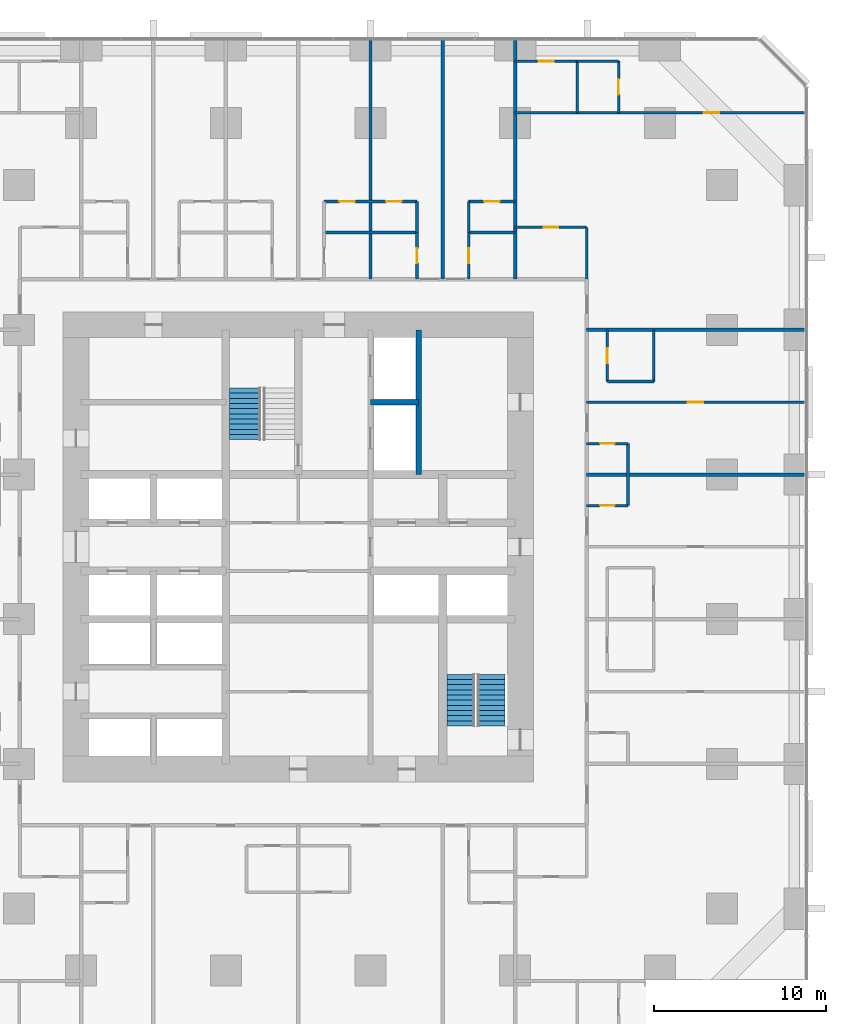
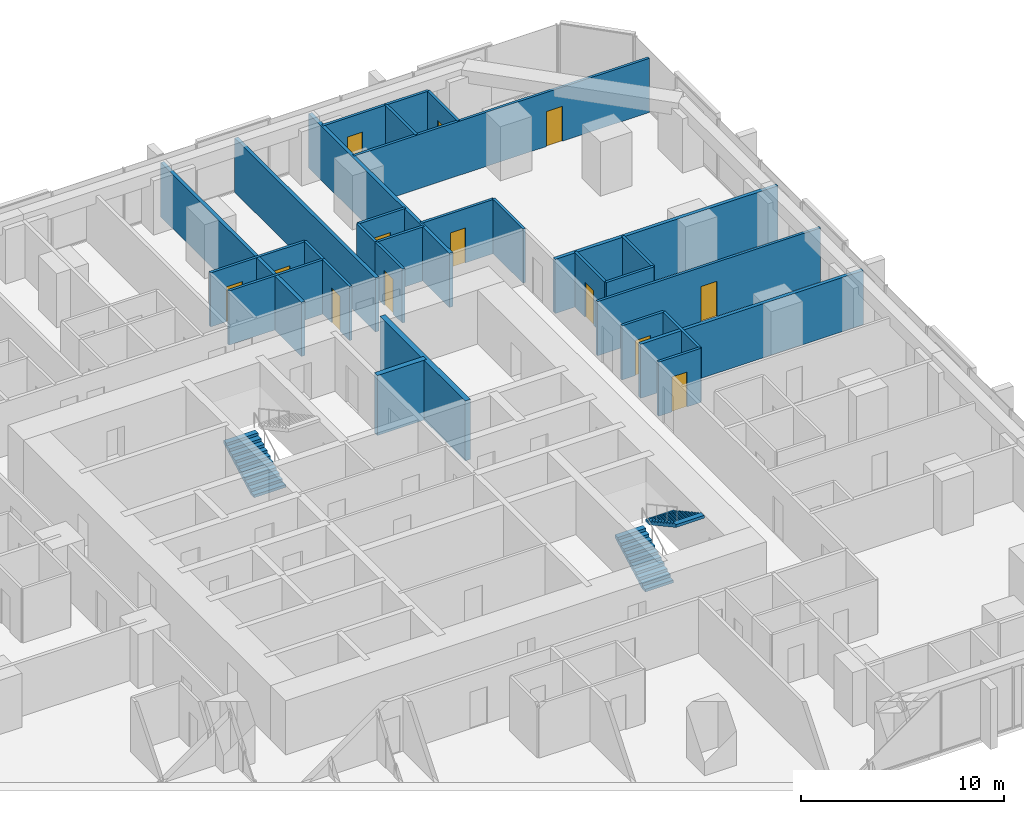
# One storey, part 15 of 17: 29 walls, 13 doors, 3 stair flights, 13 openings, 2 elements without a shape of their own.
"""IFC4 building model written with IfcOpenShell, lengths in metres."""

import ifcopenshell
import ifcopenshell.guid

model = None  # the IFC model being written
_history = None  # IfcOwnerHistory: only IFC2X3 demands one
_inside = {}  # id of a spatial element -> (the spatial element, [elements in it])
_under = {}  # id of a project, library or spatial element -> (it, [spatial elements below it])
_declared = {}  # id of a project -> (the project, [libraries it declares])
_typed = {}  # id of a type object -> (the type object, [elements of that type])
_made_of = {}  # id of a material, layer set ... -> (it, [elements and type objects made of it])


def new_model(schema):
    """Start an empty IFC model of exactly this schema.

    Asked for "IFC4X3", IfcOpenShell would pick the latest addendum, in which some entities
    have other attributes; the version numbers below select the first issue.
    IFC2X3 requires an IfcOwnerHistory on every rooted entity: one is made here for all.
    """
    global model, _history
    if schema == "IFC4X3":
        model = ifcopenshell.file(schema_version=(4, 3, 0, 0))
    else:
        model = ifcopenshell.file(schema=schema)
    _inside.clear()
    _under.clear()
    _declared.clear()
    _typed.clear()
    _made_of.clear()
    _history = None
    if model.schema == "IFC2X3":
        org = make("IfcOrganization", Name="unknown")
        user = make(
            "IfcPersonAndOrganization",
            ThePerson=make("IfcPerson", FamilyName="unknown"),
            TheOrganization=org,
        )
        app = make(
            "IfcApplication",
            ApplicationDeveloper=org,
            Version="unknown",
            ApplicationFullName="unknown",
            ApplicationIdentifier="unknown",
        )
        _history = make(
            "IfcOwnerHistory",
            OwningUser=user,
            OwningApplication=app,
            ChangeAction="ADDED",
            CreationDate=0,
        )
    return model


def make(cls, **values):
    """One entity of the class cls with the attributes given. An attribute that is None is left unset."""
    return model.create_entity(
        cls, **{name: value for name, value in values.items() if value is not None}
    )


def rooted(cls, **values):
    """An entity with a GlobalId (a new one), such as an element, a storey or a relation."""
    return make(cls, GlobalId=ifcopenshell.guid.new(), OwnerHistory=_history, **values)


def si_unit(unit_type, name, prefix=None):
    """IfcSIUnit, for example si_unit("LENGTHUNIT", "METRE", prefix="MILLI")."""
    return make("IfcSIUnit", UnitType=unit_type, Prefix=prefix, Name=name)


def assignment(units):
    """IfcUnitAssignment: the units of a project."""
    return None if units is None else make("IfcUnitAssignment", Units=units)


def point(xyz):
    """IfcCartesianPoint."""
    return None if xyz is None else make("IfcCartesianPoint", Coordinates=xyz)


def direction(xyz):
    """IfcDirection."""
    return None if xyz is None else make("IfcDirection", DirectionRatios=xyz)


def frame(location, z_axis=None, x_axis=None):
    """IfcAxis2Placement3D, a coordinate frame: its origin and axes. An axis left out is left unset."""
    return make(
        "IfcAxis2Placement3D",
        Location=point(location),
        Axis=direction(z_axis),
        RefDirection=direction(x_axis),
    )


def frame_2d(location, x_axis=None):
    """IfcAxis2Placement2D, a coordinate frame in the plane: its origin and x axis."""
    return make(
        "IfcAxis2Placement2D", Location=point(location), RefDirection=direction(x_axis)
    )


def origin():
    """The frame at (0, 0, 0) with its axes left unset."""
    return frame((0.0, 0.0, 0.0))


def place(relative_to, where):
    """IfcLocalPlacement: puts the frame where relative to a parent placement (None: the world)."""
    return make(
        "IfcLocalPlacement", PlacementRelTo=relative_to, RelativePlacement=where
    )


def context(
    kind, dimensions, precision=None, world=None, true_north=None, identifier=None
):
    """IfcGeometricRepresentationContext, for example the 3D "Model" context."""
    return make(
        "IfcGeometricRepresentationContext",
        ContextIdentifier=identifier,
        ContextType=kind,
        CoordinateSpaceDimension=dimensions,
        Precision=precision,
        WorldCoordinateSystem=world,
        TrueNorth=true_north,
    )


def subcontext(parent, identifier, kind, view, scale=None):
    """IfcGeometricRepresentationSubContext, for example "Body" below "Model"."""
    return make(
        "IfcGeometricRepresentationSubContext",
        ContextIdentifier=identifier,
        ContextType=kind,
        ParentContext=parent,
        TargetScale=scale,
        TargetView=view,
    )


def project(units=None, contexts=None):
    """IfcProject with its units and contexts."""
    return rooted(
        "IfcProject",
        Name="project",
        RepresentationContexts=contexts,
        UnitsInContext=assignment(units),
    )


def spatial(cls, under=None, at=None, **own):
    """A site, building, storey or space (cls), placed at a placement, below another one or the project."""
    s = rooted(cls, ObjectPlacement=at, **own)
    if under is not None:
        _under.setdefault(under.id(), (under, []))[1].append(s)
    return s


def polyline(points):
    """IfcPolyline through the points."""
    return make("IfcPolyline", Points=[point(p) for p in points])


def profile(cls, at=None, kind="AREA", **sizes):
    """A parametric profile (cls). Its sizes go by their IFC names, for example OverallWidth=200.0."""
    return make(cls, ProfileType=kind, Position=at, **sizes)


def rectangle(**sizes):
    """IfcRectangleProfileDef."""
    return profile("IfcRectangleProfileDef", **sizes)


def outline(outer, holes=None, kind="AREA"):
    """IfcArbitraryClosedProfileDef: a profile drawn as a closed curve; with holes, ...WithVoids."""
    if holes is None:
        return make("IfcArbitraryClosedProfileDef", ProfileType=kind, OuterCurve=outer)
    return make(
        "IfcArbitraryProfileDefWithVoids",
        ProfileType=kind,
        OuterCurve=outer,
        InnerCurves=holes,
    )


def extrude(swept, where, along, depth):
    """IfcExtrudedAreaSolid: the profile swept, set in the frame where, extruded along a direction by depth."""
    return make(
        "IfcExtrudedAreaSolid",
        SweptArea=swept,
        Position=where,
        ExtrudedDirection=direction(along),
        Depth=depth,
    )


def shape(context_of_items, identifier, shape_type, items):
    """IfcShapeRepresentation: the items that make up one representation, for example the "Body"."""
    return make(
        "IfcShapeRepresentation",
        ContextOfItems=context_of_items,
        RepresentationIdentifier=identifier,
        RepresentationType=shape_type,
        Items=items,
    )


def material(Name=None, Category=None):
    """IfcMaterial."""
    return make("IfcMaterial", Name=Name, Category=Category)


def layer(
    of_material, thickness, ventilated=None, Name=None, Category=None, Priority=None
):
    """IfcMaterialLayer: one layer of a wall or slab, of a material (None: an air gap)."""
    return make(
        "IfcMaterialLayer",
        Material=of_material,
        LayerThickness=thickness,
        IsVentilated=ventilated,
        Name=Name,
        Category=Category,
        Priority=Priority,
    )


def layer_set(layers, Name=None):
    """IfcMaterialLayerSet."""
    return make("IfcMaterialLayerSet", MaterialLayers=layers, LayerSetName=Name)


def made_of(thing, what):
    """Note that an element or type object is made of a material, layer set ...; save() writes the relation."""
    if what is not None:
        _made_of.setdefault(what.id(), (what, []))[1].append(thing)
    return thing


def type_object(cls, material=None, **own):
    """A type object (cls), such as IfcWallType, which elements share."""
    return made_of(rooted(cls, **own), material)


def element(
    cls,
    number,
    at=None,
    inside=None,
    cuts=None,
    type_object=None,
    material=None,
    context=None,
    identifier="Body",
    shape_type=None,
    held_by="IfcProductDefinitionShape",
    body=None,
    shapes=None,
    **own,
):
    """One element of the class cls, such as IfcWall. Its Tag is "e" and its number.

    at: its placement. inside: the storey or other place that contains it. cuts: it is an
    opening in that element (IfcRelVoidsElement). A single representation is given by context,
    identifier, shape_type and body (its items); several are given by shapes. held_by: the class
    of the entity that holds the representations. save() writes the other relations.
    """
    e = rooted(cls, Tag="e%d" % number, ObjectPlacement=at, **own)
    if body is not None:
        shapes = [shape(context, identifier, shape_type, body)]
    if shapes is not None:
        e.Representation = make(held_by, Representations=shapes)
    if inside is not None:
        _inside.setdefault(inside.id(), (inside, []))[1].append(e)
    if cuts is not None:
        rooted(
            "IfcRelVoidsElement", RelatingBuildingElement=cuts, RelatedOpeningElement=e
        )
    if type_object is not None:
        _typed.setdefault(type_object.id(), (type_object, []))[1].append(e)
    return made_of(e, material)


def fill(opening, filler):
    """IfcRelFillsElement: the door or window that sits in an opening."""
    return rooted(
        "IfcRelFillsElement",
        RelatingOpeningElement=opening,
        RelatedBuildingElement=filler,
    )


def aggregate(whole, parts):
    """IfcRelAggregates: a whole, such as a stair, and the parts it consists of."""
    return rooted("IfcRelAggregates", RelatingObject=whole, RelatedObjects=parts)


def save(model, path):
    """Write the relations noted so far, then the file.

    IfcRelAggregates (storeys below a building ...), IfcRelContainedInSpatialStructure (elements
    in a storey), IfcRelDefinesByType, IfcRelAssociatesMaterial and IfcRelDeclares: one each for
    every whole, place, type object, material and project.
    """
    for whole, parts in _under.values():
        aggregate(whole, parts)
    for where, things in _inside.values():
        rooted(
            "IfcRelContainedInSpatialStructure",
            RelatedElements=things,
            RelatingStructure=where,
        )
    for kind, things in _typed.values():
        rooted("IfcRelDefinesByType", RelatedObjects=things, RelatingType=kind)
    for what, things in _made_of.values():
        rooted("IfcRelAssociatesMaterial", RelatedObjects=things, RelatingMaterial=what)
    for by, libraries in _declared.values():
        rooted("IfcRelDeclares", RelatingContext=by, RelatedDefinitions=libraries)
    model.write(path)


model = new_model("IFC4")

# Units and contexts
model_context = context("Model", 3, precision=1e-05, world=origin(), true_north=direction((0.0, 1.0)))
body_context = subcontext(model_context, "Body", "Model", "MODEL_VIEW")
ifc_project = project(units=[si_unit("LENGTHUNIT", "METRE"), si_unit("AREAUNIT", "SQUARE_METRE"), si_unit("VOLUMEUNIT", "CUBIC_METRE"), si_unit("PLANEANGLEUNIT", "RADIAN"), si_unit("MASSUNIT", "GRAM", prefix="KILO")], contexts=[model_context])

# Site, building, storey
site_placement = place(None, origin())
site = spatial("IfcSite", under=ifc_project, at=site_placement, CompositionType="ELEMENT")
building_placement = place(site_placement, origin())
building = spatial("IfcBuilding", under=site, at=building_placement, Name="Dunama Terrace Hotel", CompositionType="ELEMENT")
storey_placement = place(building_placement, frame((0.0, 0.0, 63.0)))
storey = spatial("IfcBuildingStorey", under=building, at=storey_placement, Name="L15", CompositionType="ELEMENT", Elevation=63.0)

# Wall, opening, door
ifc_material_1 = material(Name="Gypsum board partition", Category="masonry")
ifc_layer_1 = layer(ifc_material_1, 0.14990234375)
ifc_layer_set_1 = layer_set([ifc_layer_1], Name="Bathroom partition 150")
wall_type_1 = type_object("IfcWallType", Name="Bathroom partition 150", PredefinedType="PARTITIONING", material=ifc_layer_set_1)
wall_1_placement = place(storey_placement, frame((36.300048828125, 44.949951171875, 0.0), z_axis=(0.0, 0.0, 1.0), x_axis=(0.0, 1.0, 0.0)))
wall_1 = element("IfcWall", 1, at=wall_1_placement, inside=storey, type_object=wall_type_1, Name="Bathroom partition 150 L15", PredefinedType="PARTITIONING", context=body_context, shape_type="SweptSolid", body=[
    extrude(rectangle(XDim=2.699951171875, YDim=0.14990234375, at=frame_2d((1.35009765625, 0.0))), origin(), (0.0, 0.0, 1.0), 3.25),
])
opening_1_placement = place(wall_1_placement, frame((0.925048828125, 0.0, 0.0)))
opening_1 = element("IfcOpeningElement", 2, at=opening_1_placement, cuts=wall_1, Name="Opening L15-16-044", PredefinedType="OPENING", context=body_context, shape_type="SweptSolid", body=[
    extrude(rectangle(XDim=0.85009765625, YDim=2.10009765625, at=frame_2d((0.425048828125, 1.050048828125))), frame((0.0, 0.0849609375, 0.0), z_axis=(0.0, -1.0, 0.0), x_axis=(1.0, 0.0, 0.0)), (0.0, 0.0, 1.0), 0.169921875),
])
ifc_material_2 = material(Name="Timber door with steel frame", Category="steel")
door_type_1 = type_object("IfcDoorType", Name="Bathroom door 850", OperationType="SINGLE_SWING_LEFT", PredefinedType="DOOR", material=ifc_material_2)
door_1_placement = place(opening_1_placement, origin())
door_1 = element("IfcDoor", 3, at=door_1_placement, inside=storey, type_object=door_type_1, Name="Door to en-suite bathroom L15-16-044, type D2", OperationType="SINGLE_SWING_LEFT", OverallHeight=2.10009765625, OverallWidth=0.85009765625, PredefinedType="DOOR", context=body_context, shape_type="SweptSolid", body=[
    extrude(rectangle(XDim=0.85009765625, YDim=2.10009765625, at=frame_2d((0.425048828125, 1.050048828125))), frame((0.0, 0.02490234375, 0.0), z_axis=(0.0, -1.0, 0.0), x_axis=(1.0, 0.0, 0.0)), (0.0, 0.0, 1.0), 0.050048828125),
])
fill(opening_1, door_1)

wall_2_placement = place(storey_placement, frame((39.300048828125, 44.949951171875, 0.0), z_axis=(0.0, 0.0, 1.0), x_axis=(0.0, 1.0, 0.0)))
wall_2 = element("IfcWall", 4, at=wall_2_placement, inside=storey, type_object=wall_type_1, Name="Bathroom partition 150 L15", PredefinedType="PARTITIONING", context=body_context, shape_type="SweptSolid", body=[
    extrude(rectangle(XDim=2.699951171875, YDim=0.14990234375, at=frame_2d((1.35009765625, 0.0))), origin(), (0.0, 0.0, 1.0), 3.25),
])
opening_2_placement = place(wall_2_placement, frame((0.925048828125, 0.0, 0.0)))
opening_2 = element("IfcOpeningElement", 5, at=opening_2_placement, cuts=wall_2, Name="Opening L15-16-047", PredefinedType="OPENING", context=body_context, shape_type="SweptSolid", body=[
    extrude(rectangle(XDim=0.85009765625, YDim=2.10009765625, at=frame_2d((0.425048828125, 1.050048828125))), frame((0.0, 0.0849609375, 0.0), z_axis=(0.0, -1.0, 0.0), x_axis=(1.0, 0.0, 0.0)), (0.0, 0.0, 1.0), 0.169921875),
])
door_2_placement = place(opening_2_placement, frame((0.85009765625, 0.0, 0.0), z_axis=(0.0, 0.0, 1.0), x_axis=(-1.0, 0.0, 0.0)))
door_2 = element("IfcDoor", 6, at=door_2_placement, inside=storey, type_object=door_type_1, Name="Door to en-suite bathroom L15-16-047, type D2", OperationType="SINGLE_SWING_RIGHT", OverallHeight=2.10009765625, OverallWidth=0.85009765625, PredefinedType="DOOR", context=body_context, shape_type="SweptSolid", body=[
    extrude(rectangle(XDim=0.85009765625, YDim=2.10009765625, at=frame_2d((0.425048828125, 1.050048828125))), frame((0.0, 0.025146484375, 0.0), z_axis=(0.0, -1.0, 0.0), x_axis=(1.0, 0.0, 0.0)), (0.0, 0.0, 1.0), 0.050048828125),
])
fill(opening_2, door_2)

# Wall
wall_3_placement = place(storey_placement, frame((46.14990234375, 44.949951171875, 0.0), z_axis=(0.0, 0.0, 1.0), x_axis=(0.0, 1.0, 0.0)))
element("IfcWall", 7, at=wall_3_placement, inside=storey, type_object=wall_type_1, Name="Bathroom partition 150 L15", PredefinedType="PARTITIONING", context=body_context, shape_type="SweptSolid", body=[
    extrude(rectangle(XDim=3.0, YDim=0.14990234375, at=frame_2d((1.5, 0.0))), origin(), (0.0, 0.0, 1.0), 3.25),
])

# Wall, opening, door
wall_4_placement = place(storey_placement, frame((47.35009765625, 39.0, 0.0), z_axis=(0.0, 0.0, 1.0), x_axis=(0.0, 1.0, 0.0)))
wall_4 = element("IfcWall", 8, at=wall_4_placement, inside=storey, type_object=wall_type_1, Name="Bathroom partition 150 L15", PredefinedType="PARTITIONING", context=body_context, shape_type="SweptSolid", body=[
    extrude(rectangle(XDim=3.0, YDim=0.14990234375, at=frame_2d((1.5, 0.0))), origin(), (0.0, 0.0, 1.0), 3.25),
])
opening_3_placement = place(wall_4_placement, frame((1.074951171875, 0.0, 0.0)))
opening_3 = element("IfcOpeningElement", 9, at=opening_3_placement, cuts=wall_4, Name="Opening L15-16-030", PredefinedType="OPENING", context=body_context, shape_type="SweptSolid", body=[
    extrude(rectangle(XDim=0.85009765625, YDim=2.10009765625, at=frame_2d((0.425048828125, 1.050048828125))), frame((0.0, 0.0849609375, 0.0), z_axis=(0.0, -1.0, 0.0), x_axis=(1.0, 0.0, 0.0)), (0.0, 0.0, 1.0), 0.169921875),
])
door_3_placement = place(opening_3_placement, frame((0.85009765625, 0.0, 0.0), z_axis=(0.0, 0.0, 1.0), x_axis=(-1.0, 0.0, 0.0)))
door_3 = element("IfcDoor", 10, at=door_3_placement, inside=storey, type_object=door_type_1, Name="Door to en-suite bathroom L15-16-030, type D2", OperationType="SINGLE_SWING_LEFT", OverallHeight=2.10009765625, OverallWidth=0.85009765625, PredefinedType="DOOR", context=body_context, shape_type="SweptSolid", body=[
    extrude(rectangle(XDim=0.85009765625, YDim=2.10009765625, at=frame_2d((0.425048828125, 1.050048828125))), frame((0.0, 0.025146484375, 0.0), z_axis=(0.0, -1.0, 0.0), x_axis=(1.0, 0.0, 0.0)), (0.0, 0.0, 1.0), 0.050048828125),
])
fill(opening_3, door_3)

# Walls
wall_5_placement = place(storey_placement, frame((48.550048828125, 31.800048828125, 0.0), z_axis=(0.0, 0.0, 1.0), x_axis=(0.0, 1.0, 0.0)))
element("IfcWall", 11, at=wall_5_placement, inside=storey, type_object=wall_type_1, Name="Bathroom partition 150 L15", PredefinedType="PARTITIONING", context=body_context, shape_type="SweptSolid", body=[
    extrude(rectangle(XDim=3.599853515625, YDim=0.14990234375, at=frame_2d((1.7998046875, 0.0))), origin(), (0.0, 0.0, 1.0), 3.25),
])
wall_6_placement = place(storey_placement, frame((50.050048828125, 39.0, 0.0), z_axis=(0.0, 0.0, 1.0), x_axis=(0.0, 1.0, 0.0)))
element("IfcWall", 12, at=wall_6_placement, inside=storey, type_object=wall_type_1, Name="Bathroom partition 150 L15", PredefinedType="PARTITIONING", context=body_context, shape_type="SweptSolid", body=[
    extrude(rectangle(XDim=3.0, YDim=0.14990234375, at=frame_2d((1.5, 0.0))), origin(), (0.0, 0.0, 1.0), 3.25),
])

# Wall, opening, door
wall_7_placement = place(storey_placement, frame((46.14990234375, 31.800048828125, 0.0), z_axis=(0.0, 0.0, 1.0), x_axis=(1.0, 0.0, 0.0)))
wall_7 = element("IfcWall", 13, at=wall_7_placement, inside=storey, type_object=wall_type_1, Name="Bathroom partition 150 L15", PredefinedType="PARTITIONING", context=body_context, shape_type="SweptSolid", body=[
    extrude(rectangle(XDim=2.400146484375, YDim=0.14990234375, at=frame_2d((1.2001953125, 0.0))), origin(), (0.0, 0.0, 1.0), 3.25),
])
opening_4_placement = place(wall_7_placement, frame((0.77490234375, 0.0, 0.0)))
opening_4 = element("IfcOpeningElement", 14, at=opening_4_placement, cuts=wall_7, Name="Opening L15-16-024", PredefinedType="OPENING", context=body_context, shape_type="SweptSolid", body=[
    extrude(rectangle(XDim=0.85009765625, YDim=2.10009765625, at=frame_2d((0.425048828125, 1.050048828125))), frame((0.0, 0.0849609375, 0.0), z_axis=(0.0, -1.0, 0.0), x_axis=(1.0, 0.0, 0.0)), (0.0, 0.0, 1.0), 0.169921875),
])
door_4_placement = place(opening_4_placement, origin())
door_4 = element("IfcDoor", 15, at=door_4_placement, inside=storey, type_object=door_type_1, Name="Door to powder room L15-16-024, type D2", OperationType="SINGLE_SWING_LEFT", OverallHeight=2.10009765625, OverallWidth=0.85009765625, PredefinedType="DOOR", context=body_context, shape_type="SweptSolid", body=[
    extrude(rectangle(XDim=0.85009765625, YDim=2.10009765625, at=frame_2d((0.425048828125, 1.050048828125))), frame((0.0, 0.02490234375, 0.0), z_axis=(0.0, -1.0, 0.0), x_axis=(1.0, 0.0, 0.0)), (0.0, 0.0, 1.0), 0.050048828125),
])
fill(opening_4, door_4)

wall_8_placement = place(storey_placement, frame((46.14990234375, 35.39990234375, 0.0), z_axis=(0.0, 0.0, 1.0), x_axis=(1.0, 0.0, 0.0)))
wall_8 = element("IfcWall", 16, at=wall_8_placement, inside=storey, type_object=wall_type_1, Name="Bathroom partition 150 L15", PredefinedType="PARTITIONING", context=body_context, shape_type="SweptSolid", body=[
    extrude(rectangle(XDim=2.400146484375, YDim=0.14990234375, at=frame_2d((1.2001953125, 0.0))), origin(), (0.0, 0.0, 1.0), 3.25),
])
opening_5_placement = place(wall_8_placement, frame((0.77490234375, 0.0, 0.0)))
opening_5 = element("IfcOpeningElement", 17, at=opening_5_placement, cuts=wall_8, Name="Opening L15-16-028", PredefinedType="OPENING", context=body_context, shape_type="SweptSolid", body=[
    extrude(rectangle(XDim=0.85009765625, YDim=2.10009765625, at=frame_2d((0.425048828125, 1.050048828125))), frame((0.0, 0.0849609375, 0.0), z_axis=(0.0, -1.0, 0.0), x_axis=(1.0, 0.0, 0.0)), (0.0, 0.0, 1.0), 0.169921875),
])
door_5_placement = place(opening_5_placement, frame((0.85009765625, 0.0, 0.0), z_axis=(0.0, 0.0, 1.0), x_axis=(-1.0, 0.0, 0.0)))
door_5 = element("IfcDoor", 18, at=door_5_placement, inside=storey, type_object=door_type_1, Name="Door to powder room L15-16-028, type D2", OperationType="SINGLE_SWING_RIGHT", OverallHeight=2.10009765625, OverallWidth=0.85009765625, PredefinedType="DOOR", context=body_context, shape_type="SweptSolid", body=[
    extrude(rectangle(XDim=0.85009765625, YDim=2.10009765625, at=frame_2d((0.425048828125, 1.050048828125))), frame((0.0, 0.025146484375, 0.0), z_axis=(0.0, -1.0, 0.0), x_axis=(1.0, 0.0, 0.0)), (0.0, 0.0, 1.0), 0.050048828125),
])
fill(opening_5, door_5)

# Wall
wall_9_placement = place(storey_placement, frame((47.35009765625, 39.0, 0.0), z_axis=(0.0, 0.0, 1.0), x_axis=(1.0, 0.0, 0.0)))
element("IfcWall", 19, at=wall_9_placement, inside=storey, type_object=wall_type_1, Name="Bathroom partition 150 L15", PredefinedType="PARTITIONING", context=body_context, shape_type="SweptSolid", body=[
    extrude(rectangle(XDim=2.699951171875, YDim=0.14990234375, at=frame_2d((1.35009765625, 0.0))), origin(), (0.0, 0.0, 1.0), 3.25),
])

# Wall, opening, door
wall_10_placement = place(storey_placement, frame((42.0, 47.949951171875, 0.0), z_axis=(0.0, 0.0, 1.0), x_axis=(1.0, 0.0, 0.0)))
wall_10 = element("IfcWall", 20, at=wall_10_placement, inside=storey, type_object=wall_type_1, Name="Bathroom partition 150 L15", PredefinedType="PARTITIONING", context=body_context, shape_type="SweptSolid", body=[
    extrude(rectangle(XDim=4.14990234375, YDim=0.14990234375, at=frame_2d((2.074951171875, 0.0))), origin(), (0.0, 0.0, 1.0), 3.25),
])
opening_6_placement = place(wall_10_placement, frame((1.64990234375, 0.0, 0.0)))
opening_6 = element("IfcOpeningElement", 21, at=opening_6_placement, cuts=wall_10, Name="Opening L15-16-066", PredefinedType="OPENING", context=body_context, shape_type="SweptSolid", body=[
    extrude(rectangle(XDim=0.85009765625, YDim=2.10009765625, at=frame_2d((0.425048828125, 1.050048828125))), frame((0.0, 0.0849609375, 0.0), z_axis=(0.0, -1.0, 0.0), x_axis=(1.0, 0.0, 0.0)), (0.0, 0.0, 1.0), 0.169921875),
])
door_6_placement = place(opening_6_placement, frame((0.85009765625, 0.0, 0.0), z_axis=(0.0, 0.0, 1.0), x_axis=(-1.0, 0.0, 0.0)))
door_6 = element("IfcDoor", 22, at=door_6_placement, inside=storey, type_object=door_type_1, Name="Door to powder room L15-16-066, type D2", OperationType="SINGLE_SWING_RIGHT", OverallHeight=2.10009765625, OverallWidth=0.85009765625, PredefinedType="DOOR", context=body_context, shape_type="SweptSolid", body=[
    extrude(rectangle(XDim=0.85009765625, YDim=2.10009765625, at=frame_2d((0.425048828125, 1.050048828125))), frame((0.0, 0.025146484375, 0.0), z_axis=(0.0, -1.0, 0.0), x_axis=(1.0, 0.0, 0.0)), (0.0, 0.0, 1.0), 0.050048828125),
])
fill(opening_6, door_6)

wall_11_placement = place(storey_placement, frame((42.0, 57.60009765625, 0.0), z_axis=(0.0, 0.0, 1.0), x_axis=(1.0, 0.0, 0.0)))
wall_11 = element("IfcWall", 23, at=wall_11_placement, inside=storey, type_object=wall_type_1, Name="Bathroom partition 150 L15", PredefinedType="PARTITIONING", context=body_context, shape_type="SweptSolid", body=[
    extrude(rectangle(XDim=3.60009765625, YDim=0.14990234375, at=frame_2d((1.800048828125, 0.0))), origin(), (0.0, 0.0, 1.0), 3.25),
])
opening_7_placement = place(wall_11_placement, frame((1.375, 0.0, 0.0)))
opening_7 = element("IfcOpeningElement", 24, at=opening_7_placement, cuts=wall_11, Name="Opening L15-16-068", PredefinedType="OPENING", context=body_context, shape_type="SweptSolid", body=[
    extrude(rectangle(XDim=0.85009765625, YDim=2.10009765625, at=frame_2d((0.425048828125, 1.050048828125))), frame((0.0, 0.0849609375, 0.0), z_axis=(0.0, -1.0, 0.0), x_axis=(1.0, 0.0, 0.0)), (0.0, 0.0, 1.0), 0.169921875),
])
door_7_placement = place(opening_7_placement, frame((0.85009765625, 0.0, 0.0), z_axis=(0.0, 0.0, 1.0), x_axis=(-1.0, 0.0, 0.0)))
door_7 = element("IfcDoor", 25, at=door_7_placement, inside=storey, type_object=door_type_1, Name="Door to en-suite bathroom L15-16-068, type D2", OperationType="SINGLE_SWING_RIGHT", OverallHeight=2.10009765625, OverallWidth=0.85009765625, PredefinedType="DOOR", context=body_context, shape_type="SweptSolid", body=[
    extrude(rectangle(XDim=0.85009765625, YDim=2.10009765625, at=frame_2d((0.425048828125, 1.050048828125))), frame((0.0, 0.025146484375, 0.0), z_axis=(0.0, -1.0, 0.0), x_axis=(1.0, 0.0, 0.0)), (0.0, 0.0, 1.0), 0.050048828125),
])
fill(opening_7, door_7)

# Walls
ifc_material_3 = material(Name="Concrete C50/60", Category="concrete")
ifc_layer_2 = layer(ifc_material_3, 0.300048828125)
ifc_layer_set_2 = layer_set([ifc_layer_2], Name="Core inner wall 300")
wall_type_2 = type_object("IfcWallType", Name="Core inner wall 300", PredefinedType="SHEAR", material=ifc_layer_set_2)
wall_12_placement = place(storey_placement, frame((36.39990234375, 33.60009765625, -0.35009765625), z_axis=(0.0, 0.0, 1.0), x_axis=(0.0, 1.0, 0.0)))
element("IfcWall", 26, at=wall_12_placement, inside=storey, type_object=wall_type_2, Name="Core inner wall 300 L15", PredefinedType="SHEAR", context=body_context, shape_type="SweptSolid", body=[
    extrude(rectangle(XDim=8.39990234375, YDim=0.300048828125, at=frame_2d((4.199951171875, 0.0))), origin(), (0.0, 0.0, 1.0), 3.60009765625),
])
wall_13_placement = place(storey_placement, frame((33.60009765625, 37.800048828125, -0.35009765625), z_axis=(0.0, 0.0, 1.0), x_axis=(1.0, 0.0, 0.0)))
element("IfcWall", 27, at=wall_13_placement, inside=storey, type_object=wall_type_2, Name="Core inner wall 300 L15", PredefinedType="SHEAR", context=body_context, shape_type="SweptSolid", body=[
    extrude(rectangle(XDim=2.7998046875, YDim=0.300048828125, at=frame_2d((1.39990234375, 0.0))), origin(), (0.0, 0.0, 1.0), 3.60009765625),
])
ifc_material_4 = material(Name="Concrete blockwork", Category="masonry")
ifc_layer_3 = layer(ifc_material_4, 0.199951171875)
ifc_layer_set_3 = layer_set([ifc_layer_3], Name="Party wall 200")
wall_type_3 = type_object("IfcWallType", Name="Party wall 200", PredefinedType="PARTITIONING", material=ifc_layer_set_3)
for number, where, z_axis, x_axis, name in (
    (28, (33.60009765625, 44.949951171875, 0.0), (0.0, 0.0, 1.0), (0.0, 1.0, 0.0), "Party wall 200 L15"),
    (29, (37.800048828125, 44.949951171875, 0.0), (0.0, 0.0, 1.0), (0.0, 1.0, 0.0), "Party wall 200 L15"),
    (30, (42.0, 44.949951171875, 0.0), (0.0, 0.0, 1.0), (0.0, 1.0, 0.0), "Party wall 200 L15"),
):
    element("IfcWall", number, at=place(storey_placement, frame(where, z_axis=z_axis, x_axis=x_axis)), inside=storey, type_object=wall_type_3, Name=name, PredefinedType="PARTITIONING", context=body_context, shape_type="SweptSolid", body=[
        extrude(rectangle(XDim=13.858154296875, YDim=0.199951171875, at=frame_2d((6.92919921875, 0.0))), origin(), (0.0, 0.0, 1.0), 3.25),
    ])
for number, where, z_axis, x_axis, name in (
    (31, (46.14990234375, 33.60009765625, 0.0), (0.0, 0.0, 1.0), (1.0, 0.0, 0.0), "Party wall 200 L15"),
    (32, (46.14990234375, 42.0, 0.0), (0.0, 0.0, 1.0), (1.0, 0.0, 0.0), "Party wall 200 L15"),
):
    element("IfcWall", number, at=place(storey_placement, frame(where, z_axis=z_axis, x_axis=x_axis)), inside=storey, type_object=wall_type_3, Name=name, PredefinedType="PARTITIONING", context=body_context, shape_type="SweptSolid", body=[
        extrude(rectangle(XDim=12.658203125, YDim=0.199951171875, at=frame_2d((6.3291015625, 0.0))), origin(), (0.0, 0.0, 1.0), 3.25),
    ])
ifc_material_5 = material(Name="Gypsum board partition", Category="masonry")
ifc_layer_4 = layer(ifc_material_5, 0.14990234375)
ifc_layer_set_4 = layer_set([ifc_layer_4], Name="Room partition 150")
wall_type_4 = type_object("IfcWallType", Name="Room partition 150", PredefinedType="PARTITIONING", material=ifc_layer_set_4)
for number, where, z_axis, x_axis, name in (
    (33, (36.300048828125, 47.64990234375, 0.0), (0.0, 0.0, 1.0), (0.0, 1.0, 0.0), "Room partition 150 L15"),
    (34, (39.300048828125, 47.64990234375, 0.0), (0.0, 0.0, 1.0), (0.0, 1.0, 0.0), "Room partition 150 L15"),
):
    element("IfcWall", number, at=place(storey_placement, frame(where, z_axis=z_axis, x_axis=x_axis)), inside=storey, type_object=wall_type_4, Name=name, PredefinedType="PARTITIONING", context=body_context, shape_type="SweptSolid", body=[
        extrude(rectangle(XDim=1.800048828125, YDim=0.14990234375, at=frame_2d((0.89990234375, 0.0))), origin(), (0.0, 0.0, 1.0), 3.25),
    ])
wall_14_placement = place(storey_placement, frame((45.60009765625, 54.60009765625, 0.0), z_axis=(0.0, 0.0, 1.0), x_axis=(0.0, 1.0, 0.0)))
element("IfcWall", 35, at=wall_14_placement, inside=storey, type_object=wall_type_4, Name="Room partition 150 L15", PredefinedType="PARTITIONING", context=body_context, shape_type="SweptSolid", body=[
    extrude(rectangle(XDim=3.0, YDim=0.14990234375, at=frame_2d((1.5, 0.0))), origin(), (0.0, 0.0, 1.0), 3.25),
])

# Wall, opening, door
wall_15_placement = place(storey_placement, frame((48.0, 54.60009765625, 0.0), z_axis=(0.0, 0.0, 1.0), x_axis=(0.0, 1.0, 0.0)))
wall_15 = element("IfcWall", 36, at=wall_15_placement, inside=storey, type_object=wall_type_4, Name="Room partition 150 L15", PredefinedType="PARTITIONING", context=body_context, shape_type="SweptSolid", body=[
    extrude(rectangle(XDim=3.0, YDim=0.14990234375, at=frame_2d((1.5, 0.0))), origin(), (0.0, 0.0, 1.0), 3.25),
])
opening_8_placement = place(wall_15_placement, frame((1.050048828125, 0.0, 0.0)))
opening_8 = element("IfcOpeningElement", 37, at=opening_8_placement, cuts=wall_15, Name="Opening L15-16-069", PredefinedType="OPENING", context=body_context, shape_type="SweptSolid", body=[
    extrude(rectangle(XDim=0.89990234375, YDim=2.10009765625, at=frame_2d((0.449951171875, 1.050048828125))), frame((0.0, 0.0849609375, 0.0), z_axis=(0.0, -1.0, 0.0), x_axis=(1.0, 0.0, 0.0)), (0.0, 0.0, 1.0), 0.169921875),
])
ifc_material_6 = material(Name="Timber door with steel frame", Category="steel")
door_type_2 = type_object("IfcDoorType", Name="Suite internal door 900", OperationType="SINGLE_SWING_LEFT", PredefinedType="DOOR", material=ifc_material_6)
door_8_placement = place(opening_8_placement, origin())
door_8 = element("IfcDoor", 38, at=door_8_placement, inside=storey, type_object=door_type_2, Name="Door to dressing room L15-16-069, type D16", OperationType="SINGLE_SWING_LEFT", OverallHeight=2.10009765625, OverallWidth=0.89990234375, PredefinedType="DOOR", context=body_context, shape_type="SweptSolid", body=[
    extrude(rectangle(XDim=0.89990234375, YDim=2.10009765625, at=frame_2d((0.449951171875, 1.050048828125))), frame((0.0, 0.02490234375, 0.0), z_axis=(0.0, -1.0, 0.0), x_axis=(1.0, 0.0, 0.0)), (0.0, 0.0, 1.0), 0.050048828125),
])
fill(opening_8, door_8)

wall_16_placement = place(storey_placement, frame((46.14990234375, 37.800048828125, 0.0), z_axis=(0.0, 0.0, 1.0), x_axis=(1.0, 0.0, 0.0)))
wall_16 = element("IfcWall", 39, at=wall_16_placement, inside=storey, type_object=wall_type_4, Name="Room partition 150 L15", PredefinedType="PARTITIONING", context=body_context, shape_type="SweptSolid", body=[
    extrude(rectangle(XDim=12.658203125, YDim=0.14990234375, at=frame_2d((6.3291015625, 0.0))), origin(), (0.0, 0.0, 1.0), 3.25),
])
opening_9_placement = place(wall_16_placement, frame((5.875, 0.0, 0.0)))
opening_9 = element("IfcOpeningElement", 40, at=opening_9_placement, cuts=wall_16, Name="Opening L15-16-029", PredefinedType="OPENING", context=body_context, shape_type="SweptSolid", body=[
    extrude(rectangle(XDim=0.89990234375, YDim=2.10009765625, at=frame_2d((0.449951171875, 1.050048828125))), frame((0.0, 0.0849609375, 0.0), z_axis=(0.0, -1.0, 0.0), x_axis=(1.0, 0.0, 0.0)), (0.0, 0.0, 1.0), 0.169921875),
])
door_9_placement = place(opening_9_placement, origin())
door_9 = element("IfcDoor", 41, at=door_9_placement, inside=storey, type_object=door_type_2, Name="Door to executive suite bedroom L15-16-029, type D16", OperationType="SINGLE_SWING_LEFT", OverallHeight=2.10009765625, OverallWidth=0.89990234375, PredefinedType="DOOR", context=body_context, shape_type="SweptSolid", body=[
    extrude(rectangle(XDim=0.89990234375, YDim=2.10009765625, at=frame_2d((0.449951171875, 1.050048828125))), frame((0.0, 0.02490234375, 0.0), z_axis=(0.0, -1.0, 0.0), x_axis=(1.0, 0.0, 0.0)), (0.0, 0.0, 1.0), 0.050048828125),
])
fill(opening_9, door_9)

# Walls
wall_17_placement = place(storey_placement, frame((30.89990234375, 47.64990234375, 0.0), z_axis=(0.0, 0.0, 1.0), x_axis=(1.0, 0.0, 0.0)))
element("IfcWall", 42, at=wall_17_placement, inside=storey, type_object=wall_type_4, Name="Room partition 150 L15", PredefinedType="PARTITIONING", context=body_context, shape_type="SweptSolid", body=[
    extrude(rectangle(XDim=5.400146484375, YDim=0.14990234375, at=frame_2d((2.7001953125, 0.0))), origin(), (0.0, 0.0, 1.0), 3.25),
])
wall_18_placement = place(storey_placement, frame((39.300048828125, 47.64990234375, 0.0), z_axis=(0.0, 0.0, 1.0), x_axis=(1.0, 0.0, 0.0)))
element("IfcWall", 43, at=wall_18_placement, inside=storey, type_object=wall_type_4, Name="Room partition 150 L15", PredefinedType="PARTITIONING", context=body_context, shape_type="SweptSolid", body=[
    extrude(rectangle(XDim=2.699951171875, YDim=0.14990234375, at=frame_2d((1.35009765625, 0.0))), origin(), (0.0, 0.0, 1.0), 3.25),
])

# Wall, openings, doors
wall_19_placement = place(storey_placement, frame((30.89990234375, 49.449951171875, 0.0), z_axis=(0.0, 0.0, 1.0), x_axis=(1.0, 0.0, 0.0)))
wall_19 = element("IfcWall", 44, at=wall_19_placement, inside=storey, type_object=wall_type_4, Name="Room partition 150 L15", PredefinedType="PARTITIONING", context=body_context, shape_type="SweptSolid", body=[
    extrude(rectangle(XDim=5.400146484375, YDim=0.14990234375, at=frame_2d((2.7001953125, 0.0))), origin(), (0.0, 0.0, 1.0), 3.25),
])
opening_10_placement = place(wall_19_placement, frame((0.89990234375, 0.0, 0.0)))
opening_10 = element("IfcOpeningElement", 45, at=opening_10_placement, cuts=wall_19, Name="Opening L15-16-042", PredefinedType="OPENING", context=body_context, shape_type="SweptSolid", body=[
    extrude(rectangle(XDim=0.89990234375, YDim=2.10009765625, at=frame_2d((0.449951171875, 1.050048828125))), frame((0.0, 0.0849609375, 0.0), z_axis=(0.0, -1.0, 0.0), x_axis=(1.0, 0.0, 0.0)), (0.0, 0.0, 1.0), 0.169921875),
])
opening_11_placement = place(wall_19_placement, frame((3.60009765625, 0.0, 0.0)))
opening_11 = element("IfcOpeningElement", 46, at=opening_11_placement, cuts=wall_19, Name="Opening L15-16-045", PredefinedType="OPENING", context=body_context, shape_type="SweptSolid", body=[
    extrude(rectangle(XDim=0.89990234375, YDim=2.10009765625, at=frame_2d((0.449951171875, 1.050048828125))), frame((0.0, 0.0849609375, 0.0), z_axis=(0.0, -1.0, 0.0), x_axis=(1.0, 0.0, 0.0)), (0.0, 0.0, 1.0), 0.169921875),
])
door_10_placement = place(opening_10_placement, frame((0.89990234375, 0.0, 0.0), z_axis=(0.0, 0.0, 1.0), x_axis=(-1.0, 0.0, 0.0)))
door_10 = element("IfcDoor", 47, at=door_10_placement, inside=storey, type_object=door_type_2, Name="Door to walk-in wardrobe L15-16-042, type D16", OperationType="SINGLE_SWING_LEFT", OverallHeight=2.10009765625, OverallWidth=0.89990234375, PredefinedType="DOOR", context=body_context, shape_type="SweptSolid", body=[
    extrude(rectangle(XDim=0.89990234375, YDim=2.10009765625, at=frame_2d((0.449951171875, 1.050048828125))), frame((0.0, 0.025146484375, 0.0), z_axis=(0.0, -1.0, 0.0), x_axis=(1.0, 0.0, 0.0)), (0.0, 0.0, 1.0), 0.050048828125),
])
fill(opening_10, door_10)
door_11_placement = place(opening_11_placement, frame((0.89990234375, 0.0, 0.0), z_axis=(0.0, 0.0, 1.0), x_axis=(-1.0, 0.0, 0.0)))
door_11 = element("IfcDoor", 48, at=door_11_placement, inside=storey, type_object=door_type_2, Name="Door to walk-in wardrobe L15-16-045, type D16", OperationType="SINGLE_SWING_RIGHT", OverallHeight=2.10009765625, OverallWidth=0.89990234375, PredefinedType="DOOR", context=body_context, shape_type="SweptSolid", body=[
    extrude(rectangle(XDim=0.89990234375, YDim=2.10009765625, at=frame_2d((0.449951171875, 1.050048828125))), frame((0.0, 0.025146484375, 0.0), z_axis=(0.0, -1.0, 0.0), x_axis=(1.0, 0.0, 0.0)), (0.0, 0.0, 1.0), 0.050048828125),
])
fill(opening_11, door_11)

# Wall, opening, door
wall_20_placement = place(storey_placement, frame((39.300048828125, 49.449951171875, 0.0), z_axis=(0.0, 0.0, 1.0), x_axis=(1.0, 0.0, 0.0)))
wall_20 = element("IfcWall", 49, at=wall_20_placement, inside=storey, type_object=wall_type_4, Name="Room partition 150 L15", PredefinedType="PARTITIONING", context=body_context, shape_type="SweptSolid", body=[
    extrude(rectangle(XDim=2.699951171875, YDim=0.14990234375, at=frame_2d((1.35009765625, 0.0))), origin(), (0.0, 0.0, 1.0), 3.25),
])
opening_12_placement = place(wall_20_placement, frame((0.89990234375, 0.0, 0.0)))
opening_12 = element("IfcOpeningElement", 50, at=opening_12_placement, cuts=wall_20, Name="Opening L15-16-048", PredefinedType="OPENING", context=body_context, shape_type="SweptSolid", body=[
    extrude(rectangle(XDim=0.89990234375, YDim=2.10009765625, at=frame_2d((0.449951171875, 1.050048828125))), frame((0.0, 0.0849609375, 0.0), z_axis=(0.0, -1.0, 0.0), x_axis=(1.0, 0.0, 0.0)), (0.0, 0.0, 1.0), 0.169921875),
])
door_12_placement = place(opening_12_placement, frame((0.89990234375, 0.0, 0.0), z_axis=(0.0, 0.0, 1.0), x_axis=(-1.0, 0.0, 0.0)))
door_12 = element("IfcDoor", 51, at=door_12_placement, inside=storey, type_object=door_type_2, Name="Door to walk-in wardrobe L15-16-048, type D16", OperationType="SINGLE_SWING_LEFT", OverallHeight=2.10009765625, OverallWidth=0.89990234375, PredefinedType="DOOR", context=body_context, shape_type="SweptSolid", body=[
    extrude(rectangle(XDim=0.89990234375, YDim=2.10009765625, at=frame_2d((0.449951171875, 1.050048828125))), frame((0.0, 0.025146484375, 0.0), z_axis=(0.0, -1.0, 0.0), x_axis=(1.0, 0.0, 0.0)), (0.0, 0.0, 1.0), 0.050048828125),
])
fill(opening_12, door_12)

wall_21_placement = place(storey_placement, frame((42.0, 54.60009765625, 0.0), z_axis=(0.0, 0.0, 1.0), x_axis=(1.0, 0.0, 0.0)))
wall_21 = element("IfcWall", 52, at=wall_21_placement, inside=storey, type_object=wall_type_4, Name="Room partition 150 L15", PredefinedType="PARTITIONING", context=body_context, shape_type="SweptSolid", body=[
    extrude(rectangle(XDim=16.80810546875, YDim=0.14990234375, at=frame_2d((8.404052734375, 0.0))), origin(), (0.0, 0.0, 1.0), 3.25),
])
opening_13_placement = place(wall_21_placement, frame((10.949951171875, 0.0, 0.0)))
opening_13 = element("IfcOpeningElement", 53, at=opening_13_placement, cuts=wall_21, Name="Opening L15-16-067", PredefinedType="OPENING", context=body_context, shape_type="SweptSolid", body=[
    extrude(rectangle(XDim=0.89990234375, YDim=2.10009765625, at=frame_2d((0.449951171875, 1.050048828125))), frame((0.0, 0.0849609375, 0.0), z_axis=(0.0, -1.0, 0.0), x_axis=(1.0, 0.0, 0.0)), (0.0, 0.0, 1.0), 0.169921875),
])
door_13_placement = place(opening_13_placement, origin())
door_13 = element("IfcDoor", 54, at=door_13_placement, inside=storey, type_object=door_type_2, Name="Door to corner suite bedroom L15-16-067, type D16", OperationType="SINGLE_SWING_LEFT", OverallHeight=2.10009765625, OverallWidth=0.89990234375, PredefinedType="DOOR", context=body_context, shape_type="SweptSolid", body=[
    extrude(rectangle(XDim=0.89990234375, YDim=2.10009765625, at=frame_2d((0.449951171875, 1.050048828125))), frame((0.0, 0.02490234375, 0.0), z_axis=(0.0, -1.0, 0.0), x_axis=(1.0, 0.0, 0.0)), (0.0, 0.0, 1.0), 0.050048828125),
])
fill(opening_13, door_13)

# Wall
wall_22_placement = place(storey_placement, frame((45.60009765625, 57.60009765625, 0.0), z_axis=(0.0, 0.0, 1.0), x_axis=(1.0, 0.0, 0.0)))
element("IfcWall", 55, at=wall_22_placement, inside=storey, type_object=wall_type_4, Name="Room partition 150 L15", PredefinedType="PARTITIONING", context=body_context, shape_type="SweptSolid", body=[
    extrude(rectangle(XDim=2.39990234375, YDim=0.14990234375, at=frame_2d((1.199951171875, 0.0))), origin(), (0.0, 0.0, 1.0), 3.25),
])

# Stair, stair flight
ifc_material_7 = material(Name="Concrete C40/50", Category="concrete")
stair_type_1 = type_object("IfcStairType", Name="Stair ST1-3600-1800", PredefinedType="HALF_TURN_STAIR", material=ifc_material_7)
stair_1_placement = place(storey_placement, origin())
stair_1 = element("IfcStair", 56, at=stair_1_placement, inside=storey, type_object=stair_type_1, Name="Stair ST1 L15", PredefinedType="HALF_TURN_STAIR")
ifc_material_8 = material(Name="Concrete C40/50", Category="concrete")
stair_flight_type_1 = type_object("IfcStairFlightType", Name="Stair flight ST1-3600-1800", PredefinedType="STRAIGHT", material=ifc_material_8)
stair_flight_1_placement = place(storey_placement, frame((26.324951171875, 35.625, 0.0), z_axis=(0.0, 0.0, 1.0), x_axis=(0.0, 1.0, 0.0)))
stair_flight_1 = element("IfcStairFlight", 57, at=stair_flight_1_placement, type_object=stair_flight_type_1, Name="ST1 flight 1", NumberOfRisers=11, NumberOfTreads=10, PredefinedType="STRAIGHT", RiserHeight=0.163636364, TreadLength=0.3, context=body_context, shape_type="SweptSolid", body=[
    extrude(outline(polyline([(0.0, 0.0), (0.0, 0.16357421875), (0.300048828125, 0.16357421875), (0.300048828125, 0.327392578125), (0.60009765625, 0.327392578125), (0.60009765625, 0.490966796875), (0.89990234375, 0.490966796875), (0.89990234375, 0.654541015625), (1.199951171875, 0.654541015625), (1.199951171875, 0.818115234375), (1.5, 0.818115234375), (1.5, 0.98193359375), (1.800048828125, 0.98193359375), (1.800048828125, 1.1455078125), (2.10009765625, 1.1455078125), (2.10009765625, 1.30908203125), (2.39990234375, 1.30908203125), (2.39990234375, 1.47265625), (2.699951171875, 1.47265625), (2.699951171875, 1.636474609375), (3.0, 1.636474609375), (3.0, 1.800048828125), (3.0, 1.465576171875), (0.31298828125, 0.0), (0.0, 0.0)])), frame((0.0, 0.89990234375, 0.0), z_axis=(0.0, -1.0, 0.0), x_axis=(1.0, 0.0, 0.0)), (0.0, 0.0, 1.0), 1.800048828125),
])
aggregate(stair_1, [stair_flight_1])

# Stair, stair flights
ifc_material_9 = material(Name="Concrete C40/50", Category="concrete")
stair_type_2 = type_object("IfcStairType", Name="Stair ST2-3600-1600", PredefinedType="HALF_TURN_STAIR", material=ifc_material_9)
stair_2_placement = place(storey_placement, origin())
stair_2 = element("IfcStair", 58, at=stair_2_placement, inside=storey, type_object=stair_type_2, Name="Stair ST2 L15", PredefinedType="HALF_TURN_STAIR")
ifc_material_10 = material(Name="Concrete C40/50", Category="concrete")
stair_flight_type_2 = type_object("IfcStairFlightType", Name="Stair flight ST2-3600-1600", PredefinedType="STRAIGHT", material=ifc_material_10)
stair_flight_2_placement = place(storey_placement, frame((38.85009765625, 19.0, 0.0), z_axis=(0.0, 0.0, 1.0), x_axis=(0.0, 1.0, 0.0)))
stair_flight_2 = element("IfcStairFlight", 59, at=stair_flight_2_placement, type_object=stair_flight_type_2, Name="ST2 flight 1", NumberOfRisers=11, NumberOfTreads=10, PredefinedType="STRAIGHT", RiserHeight=0.163636364, TreadLength=0.3, context=body_context, shape_type="SweptSolid", body=[
    extrude(outline(polyline([(0.0, 0.0), (0.0, 0.16357421875), (0.300048828125, 0.16357421875), (0.300048828125, 0.327392578125), (0.60009765625, 0.327392578125), (0.60009765625, 0.490966796875), (0.89990234375, 0.490966796875), (0.89990234375, 0.654541015625), (1.199951171875, 0.654541015625), (1.199951171875, 0.818115234375), (1.5, 0.818115234375), (1.5, 0.98193359375), (1.800048828125, 0.98193359375), (1.800048828125, 1.1455078125), (2.10009765625, 1.1455078125), (2.10009765625, 1.30908203125), (2.39990234375, 1.30908203125), (2.39990234375, 1.47265625), (2.699951171875, 1.47265625), (2.699951171875, 1.636474609375), (3.0, 1.636474609375), (3.0, 1.800048828125), (3.0, 1.465576171875), (0.31298828125, 0.0), (0.0, 0.0)])), frame((0.0, 0.800048828125, 0.0), z_axis=(0.0, -1.0, 0.0), x_axis=(1.0, 0.0, 0.0)), (0.0, 0.0, 1.0), 1.60009765625),
])
stair_flight_3_placement = place(storey_placement, frame((40.60009765625, 22.0, 1.800048828125), z_axis=(0.0, 0.0, 1.0), x_axis=(0.0, -1.0, 0.0)))
stair_flight_3 = element("IfcStairFlight", 60, at=stair_flight_3_placement, type_object=stair_flight_type_2, Name="ST2 flight 2", NumberOfRisers=11, NumberOfTreads=10, PredefinedType="STRAIGHT", RiserHeight=0.163636364, TreadLength=0.3, context=body_context, shape_type="SweptSolid", body=[
    extrude(outline(polyline([(0.0, 0.0), (0.0, 0.16357421875), (0.300048828125, 0.16357421875), (0.300048828125, 0.327392578125), (0.60009765625, 0.327392578125), (0.60009765625, 0.490966796875), (0.89990234375, 0.490966796875), (0.89990234375, 0.654541015625), (1.199951171875, 0.654541015625), (1.199951171875, 0.818115234375), (1.5, 0.818115234375), (1.5, 0.98193359375), (1.800048828125, 0.98193359375), (1.800048828125, 1.1455078125), (2.10009765625, 1.1455078125), (2.10009765625, 1.30908203125), (2.39990234375, 1.30908203125), (2.39990234375, 1.47265625), (2.699951171875, 1.47265625), (2.699951171875, 1.636474609375), (3.0, 1.636474609375), (3.0, 1.800048828125), (3.0, 1.465576171875), (0.31298828125, 0.0), (0.0, 0.0)])), frame((0.0, 0.800048828125, 0.0), z_axis=(0.0, -1.0, 0.0), x_axis=(1.0, 0.0, 0.0)), (0.0, 0.0, 1.0), 1.60009765625),
])
aggregate(stair_2, [stair_flight_2, stair_flight_3])

save(model, "model.ifc")
